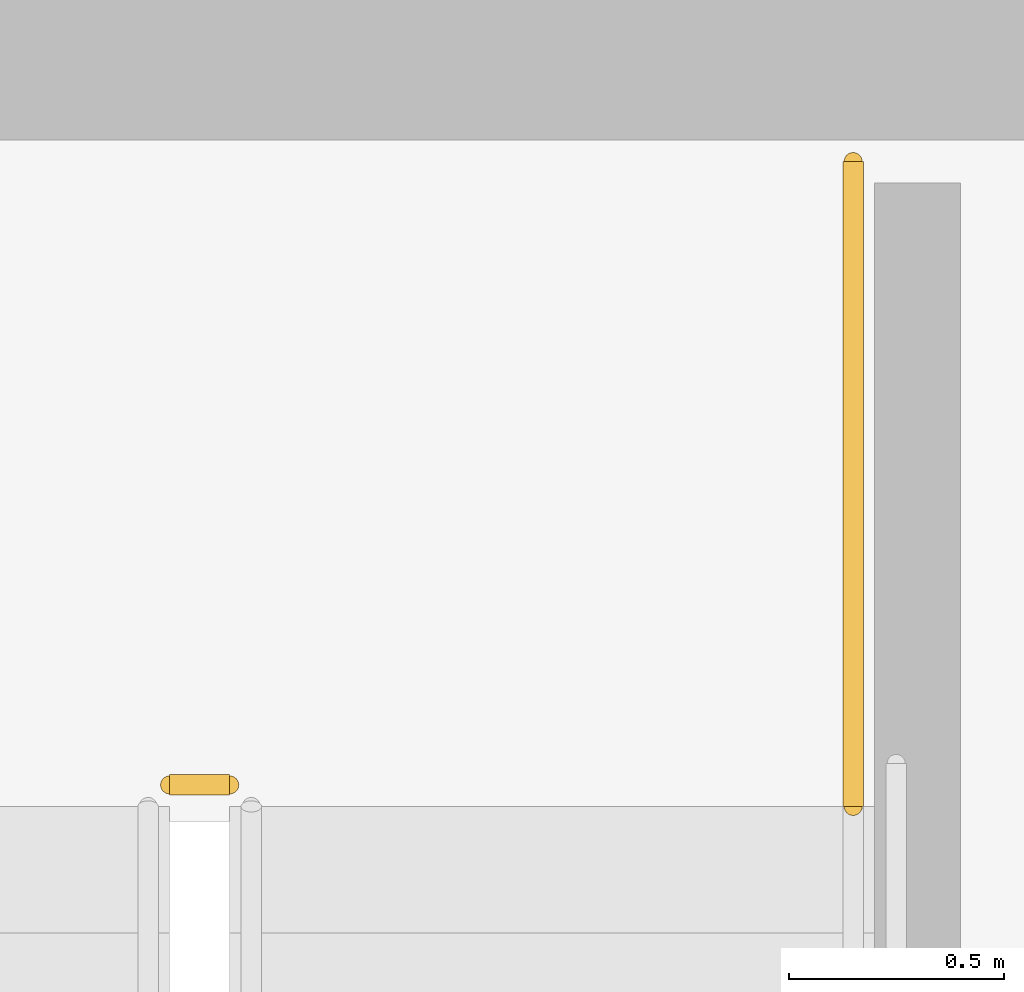
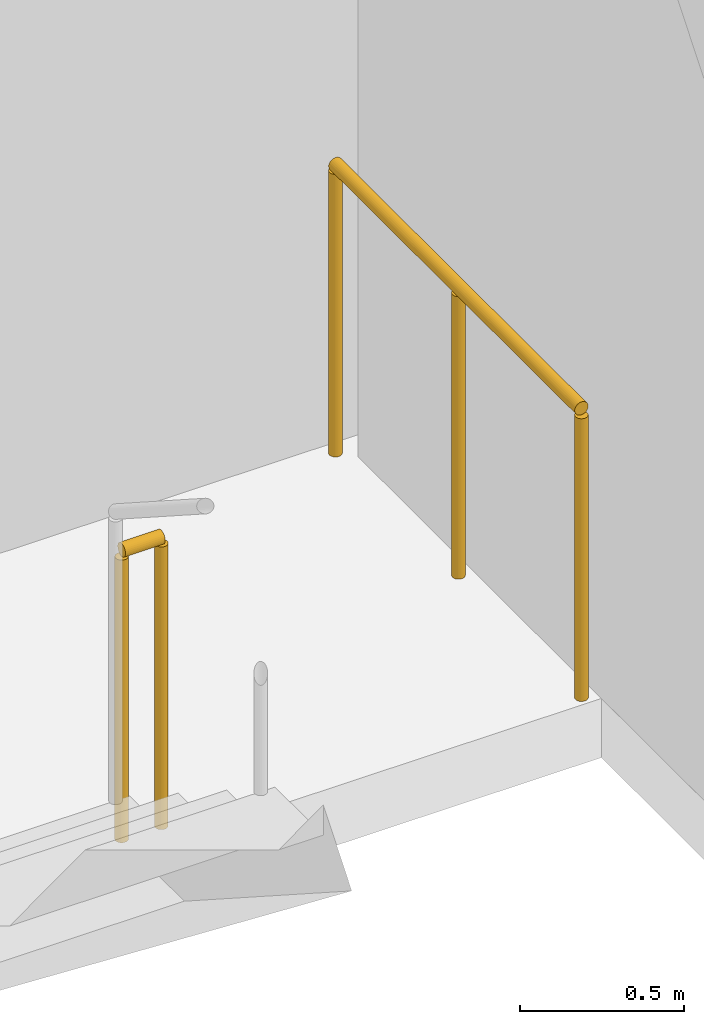
# One storey, part 32 of 32: 2 railings.
"""IFC4 building model written with IfcOpenShell, lengths in metres."""

from ifc_helpers import new_model, si_unit, direction, frame, origin, origin_2d, place, context, subcontext, project, spatial, circle, extrude, material, layer, layer_set, type_object, element, save


model = new_model("IFC4")

# Units and contexts
model_context = context("Model", 3, precision=1e-05, world=origin(), true_north=direction((0.0, 1.0)))
body_context = subcontext(model_context, "Body", "Model", "MODEL_VIEW")
ifc_project = project(units=[si_unit("LENGTHUNIT", "METRE"), si_unit("AREAUNIT", "SQUARE_METRE"), si_unit("VOLUMEUNIT", "CUBIC_METRE"), si_unit("PLANEANGLEUNIT", "RADIAN"), si_unit("MASSUNIT", "GRAM", prefix="KILO")], contexts=[model_context])

# Site, building, storey
site_placement = place(None, origin())
site = spatial("IfcSite", under=ifc_project, at=site_placement, CompositionType="ELEMENT")
building_placement = place(site_placement, origin())
building = spatial("IfcBuilding", under=site, at=building_placement, Name="Ndaravel Arena Tower", CompositionType="ELEMENT")
storey_placement = place(building_placement, frame((0.0, 0.0, 252.199951171875)))
storey = spatial("IfcBuildingStorey", under=building, at=storey_placement, Name="L61", CompositionType="ELEMENT", Elevation=252.199951171875)

# Railings
ifc_material = material(Name="Steel S355", Category="steel")
ifc_layer = layer(ifc_material, 0.06005859375)
ifc_layer_set = layer_set([ifc_layer], Name="Steel S355")
railing_type = type_object("IfcRailingType", Name="RAIL-STAIR-GD1100", PredefinedType="GUARDRAIL", material=ifc_layer_set)
railing_1_placement = place(storey_placement, frame((55.10009765625, 13.300048828125, 0.0)))
element("IfcRailing", 1, at=railing_1_placement, inside=storey, type_object=railing_type, Name="L61 ST-3 stair guard 4", PredefinedType="GUARDRAIL", context=body_context, shape_type="SweptSolid", body=[
    extrude(circle(Radius=0.02392578125, at=origin_2d()), frame((0.0, 0.0, 1.076171875), z_axis=(1.0, 0.0, 0.0), x_axis=(0.0, 1.0, 0.0)), (0.0, 0.0, 1.0), 0.139892578125),
    extrude(circle(Radius=0.02099609375, at=origin_2d()), origin(), (0.0, 0.0, 1.0), 1.052001953125),
    extrude(circle(Radius=0.02099609375, at=origin_2d()), frame((0.139892578125, 0.0, 0.0)), (0.0, 0.0, 1.0), 1.052001953125),
])
railing_2_placement = place(storey_placement, frame((56.68994140625, 14.75, 0.0)))
element("IfcRailing", 2, at=railing_2_placement, inside=storey, type_object=railing_type, Name="L61 ST-3 stair guard 5", PredefinedType="GUARDRAIL", context=body_context, shape_type="SweptSolid", body=[
    extrude(circle(Radius=0.02392578125, at=origin_2d()), frame((0.0, 0.0, 1.076171875), z_axis=(0.0, -1.0, 0.0), x_axis=(1.0, 0.0, 0.0)), (0.0, 0.0, 1.0), 1.5),
    extrude(circle(Radius=0.02099609375, at=origin_2d()), origin(), (0.0, 0.0, 1.0), 1.052001953125),
    extrude(circle(Radius=0.02099609375, at=origin_2d()), frame((0.0, -0.75, 0.0)), (0.0, 0.0, 1.0), 1.052001953125),
    extrude(circle(Radius=0.02099609375, at=origin_2d()), frame((0.0, -1.5, 0.0)), (0.0, 0.0, 1.0), 1.052001953125),
])

save(model, "model.ifc")
